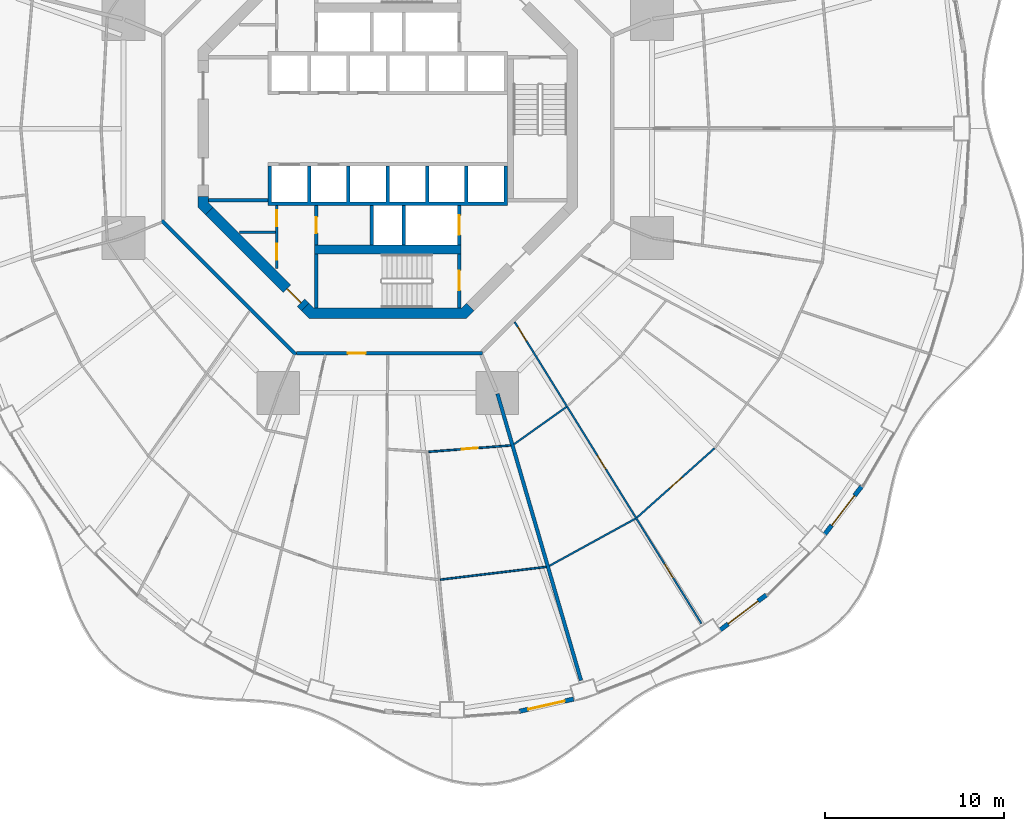
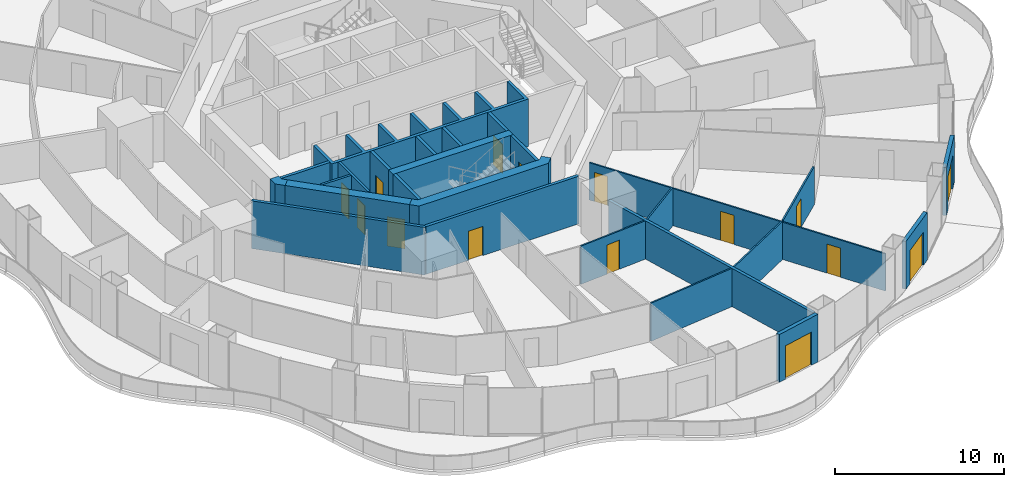
# One storey, part 15 of 22: 26 walls, 15 doors, 15 openings.
"""IFC4 building model written with IfcOpenShell, lengths in metres."""

from ifc_helpers import new_model, si_unit, direction, frame, frame_2d, origin, place, context, subcontext, project, spatial, polyline, rectangle, outline, extrude, material, layer, layer_set, type_object, element, fill, save


model = new_model("IFC4")

# Units and contexts
model_context = context("Model", 3, precision=1e-05, world=origin(), true_north=direction((0.0, 1.0)))
body_context = subcontext(model_context, "Body", "Model", "MODEL_VIEW")
ifc_project = project(units=[si_unit("LENGTHUNIT", "METRE"), si_unit("AREAUNIT", "SQUARE_METRE"), si_unit("VOLUMEUNIT", "CUBIC_METRE"), si_unit("PLANEANGLEUNIT", "RADIAN"), si_unit("MASSUNIT", "GRAM", prefix="KILO")], contexts=[model_context])

# Site, building, storey
site_placement = place(None, origin())
site = spatial("IfcSite", under=ifc_project, at=site_placement, CompositionType="ELEMENT")
building_placement = place(site_placement, origin())
building = spatial("IfcBuilding", under=site, at=building_placement, Name="Nagisa Residences", CompositionType="ELEMENT")
storey_placement = place(building_placement, frame((0.0, 0.0, 41.800048828125)))
storey = spatial("IfcBuildingStorey", under=building, at=storey_placement, Name="L09", CompositionType="ELEMENT", Elevation=41.800048828125)

# Walls
ifc_material_1 = material(Name="Gypsum board on steel studs", Category="steel")
ifc_layer_1 = layer(ifc_material_1, 0.199951171875)
ifc_layer_set_1 = layer_set([ifc_layer_1], Name="Apartment compartment wall EI60 200")
wall_type_1 = type_object("IfcWallType", Name="Apartment compartment wall EI60 200", PredefinedType="PARTITIONING", material=ifc_layer_set_1)
wall_1_placement = place(storey_placement, frame((6.136962890625, -14.830078125, 0.0), z_axis=(0.0, 0.0, 1.0), x_axis=(0.27985745069, -0.960041565399, 0.0)))
element("IfcWall", 1, at=wall_1_placement, inside=storey, type_object=wall_type_1, Name="wall:L09:u05", PredefinedType="PARTITIONING", context=body_context, shape_type="SweptSolid", body=[
    extrude(rectangle(XDim=16.705078125, YDim=0.199951171875, at=frame_2d((8.3525390625, 0.0))), origin(), (0.0, 0.0, 1.0), 2.755859375),
])
ifc_material_2 = material(Name="Gypsum board on steel studs", Category="steel")
ifc_layer_2 = layer(ifc_material_2, 0.199951171875)
ifc_layer_set_2 = layer_set([ifc_layer_2], Name="Apartment entry wall EI60 200")
wall_type_2 = type_object("IfcWallType", Name="Apartment entry wall EI60 200", PredefinedType="PARTITIONING", material=ifc_layer_set_2)
wall_2_placement = place(storey_placement, frame((-12.635498046875, -5.1337890625, 0.0), z_axis=(0.0, 0.0, 1.0), x_axis=(0.707106781187, -0.707106781187, 0.0)))
element("IfcWall", 2, at=wall_2_placement, inside=storey, type_object=wall_type_2, Name="wall:L09:u11", PredefinedType="PARTITIONING", context=body_context, shape_type="SweptSolid", body=[
    extrude(rectangle(XDim=10.609130859375, YDim=0.199951171875, at=frame_2d((5.3046875, 0.0))), origin(), (0.0, 0.0, 1.0), 3.43994140625),
])

# Wall, opening, door
wall_3_placement = place(storey_placement, frame((-5.1044921875, -12.564697265625, 0.0), z_axis=(0.0, 0.0, 1.0), x_axis=(1.0, 0.0, 0.0)))
wall_3 = element("IfcWall", 3, at=wall_3_placement, inside=storey, type_object=wall_type_2, Name="wall:L09:u12", PredefinedType="PARTITIONING", context=body_context, shape_type="SweptSolid", body=[
    extrude(rectangle(XDim=10.408935546875, YDim=0.199951171875, at=frame_2d((5.20458984375, 0.0))), origin(), (0.0, 0.0, 1.0), 3.43994140625),
])
opening_1_placement = place(wall_3_placement, frame((2.86962890625, 0.0, 0.0)))
opening_1 = element("IfcOpeningElement", 4, at=opening_1_placement, cuts=wall_3, Name="Opening L09-U21", PredefinedType="OPENING", context=body_context, shape_type="SweptSolid", body=[
    extrude(rectangle(XDim=1.0, YDim=2.10009765625, at=frame_2d((0.5, 1.050048828125))), frame((0.0, 0.10986328125, 0.0), z_axis=(0.0, -1.0, 0.0), x_axis=(1.0, 0.0, 0.0)), (0.0, 0.0, 1.0), 0.219970703125),
])
ifc_material_3 = material(Name="Timber fire door set", Category="wood")
door_type_1 = type_object("IfcDoorType", Name="Apartment entry door FD30S 1000x2100", OperationType="NOTDEFINED", PredefinedType="DOOR", material=ifc_material_3)
door_1_placement = place(opening_1_placement, frame((1.0, 0.0, 0.0), x_axis=(-1.0, 0.0, 0.0)))
door_1 = element("IfcDoor", 5, at=door_1_placement, inside=storey, type_object=door_type_1, Name="Entry door, Apartment 09B", OperationType="SINGLE_SWING_RIGHT", OverallHeight=2.10009765625, OverallWidth=1.0, PredefinedType="DOOR", context=body_context, shape_type="SweptSolid", body=[
    extrude(rectangle(XDim=1.0, YDim=2.10009765625, at=frame_2d((0.5, 1.050048828125))), frame((0.0, 0.02490234375, 0.0), z_axis=(0.0, -1.0, 0.0), x_axis=(1.0, 0.0, 0.0)), (0.0, 0.0, 1.0), 0.050048828125),
])
fill(opening_1, door_1)

ifc_material_4 = material(Name="Gypsum board on steel studs", Category="steel")
ifc_layer_3 = layer(ifc_material_4, 0.10009765625)
ifc_layer_set_3 = layer_set([ifc_layer_3], Name="Apartment partition 100")
wall_type_3 = type_object("IfcWallType", Name="Apartment partition 100", PredefinedType="PARTITIONING", material=ifc_layer_set_3)
wall_4_placement = place(storey_placement, frame((2.288330078125, -18.078369140625, 0.0), z_axis=(0.0, 0.0, 1.0), x_axis=(0.99701850123, 0.077162868047, 0.0)))
wall_4 = element("IfcWall", 6, at=wall_4_placement, inside=storey, type_object=wall_type_3, Name="wall:L09:u77", PredefinedType="PARTITIONING", context=body_context, shape_type="SweptSolid", body=[
    extrude(rectangle(XDim=4.603515625, YDim=0.10009765625, at=frame_2d((2.3017578125, 0.0))), origin(), (0.0, 0.0, 1.0), 2.755859375),
])
opening_2_placement = place(wall_4_placement, frame((1.851806640625, 0.0, 0.0)))
opening_2 = element("IfcOpeningElement", 7, at=opening_2_placement, cuts=wall_4, Name="Opening L09-U26", PredefinedType="OPENING", context=body_context, shape_type="SweptSolid", body=[
    extrude(rectangle(XDim=0.89990234375, YDim=2.10009765625, at=frame_2d((0.449951171875, 1.050048828125))), frame((0.0, 0.06005859375, 0.0), z_axis=(0.0, -1.0, 0.0), x_axis=(1.0, 0.0, 0.0)), (0.0, 0.0, 1.0), 0.1201171875),
])
ifc_material_5 = material(Name="Timber door set", Category="wood")
door_type_2 = type_object("IfcDoorType", Name="Apartment door 900x2100", OperationType="NOTDEFINED", PredefinedType="DOOR", material=ifc_material_5)
door_2_placement = place(opening_2_placement, frame((0.89990234375, 0.0, 0.0), x_axis=(-1.0, 0.0, 0.0)))
door_2 = element("IfcDoor", 8, at=door_2_placement, inside=storey, type_object=door_type_2, Name="Door to kitchen, Apartment 09B", OperationType="SINGLE_SWING_LEFT", OverallHeight=2.10009765625, OverallWidth=0.89990234375, PredefinedType="DOOR", context=body_context, shape_type="SweptSolid", body=[
    extrude(rectangle(XDim=0.89990234375, YDim=2.10009765625, at=frame_2d((0.449951171875, 1.050048828125))), frame((0.0, 0.02490234375, 0.0), z_axis=(0.0, -1.0, 0.0), x_axis=(1.0, 0.0, 0.0)), (0.0, 0.0, 1.0), 0.050048828125),
])
fill(opening_2, door_2)

# Walls
wall_5_placement = place(storey_placement, frame((2.94091796875, -25.228515625, 0.0), z_axis=(0.0, 0.0, 1.0), x_axis=(0.992834127896, 0.119500604542, 0.0)))
element("IfcWall", 9, at=wall_5_placement, inside=storey, type_object=wall_type_3, Name="wall:L09:u78", PredefinedType="PARTITIONING", context=body_context, shape_type="SweptSolid", body=[
    extrude(rectangle(XDim=5.95947265625, YDim=0.10009765625, at=frame_2d((2.979736328125, 0.0))), origin(), (0.0, 0.0, 1.0), 2.755859375),
])
wall_6_placement = place(storey_placement, frame((7.0595703125, -17.657470703125, 0.0), z_axis=(0.0, 0.0, 1.0), x_axis=(0.81492039338, 0.57957290521, 0.0)))
element("IfcWall", 10, at=wall_6_placement, inside=storey, type_object=wall_type_3, Name="wall:L09:u79", PredefinedType="PARTITIONING", context=body_context, shape_type="SweptSolid", body=[
    extrude(rectangle(XDim=3.594482421875, YDim=0.10009765625, at=frame_2d((1.79736328125, 0.0))), origin(), (0.0, 0.0, 1.0), 2.755859375),
])
wall_7_placement = place(storey_placement, frame((9.044677734375, -24.456298828125, 0.0), z_axis=(0.0, 0.0, 1.0), x_axis=(0.876809987787, 0.480837025734, 0.0)))
element("IfcWall", 11, at=wall_7_placement, inside=storey, type_object=wall_type_3, Name="wall:L09:u80", PredefinedType="PARTITIONING", context=body_context, shape_type="SweptSolid", body=[
    extrude(rectangle(XDim=5.486083984375, YDim=0.10009765625, at=frame_2d((2.7431640625, 0.0))), origin(), (0.0, 0.0, 1.0), 2.755859375),
])

# Wall, openings, doors
wall_8_placement = place(storey_placement, frame((7.09716796875, -10.809814453125, 0.0), z_axis=(0.0, 0.0, 1.0), x_axis=(0.526453266471, -0.850204068576, 0.0)))
wall_8 = element("IfcWall", 12, at=wall_8_placement, inside=storey, type_object=wall_type_3, Name="wall:L09:u81", PredefinedType="PARTITIONING", context=body_context, shape_type="SweptSolid", body=[
    extrude(rectangle(XDim=19.85009765625, YDim=0.10009765625, at=frame_2d((9.925048828125, 0.0))), origin(), (0.0, 0.0, 1.0), 2.68701171875),
])
opening_3_placement = place(wall_8_placement, frame((0.35009765625, 0.0, 0.0)))
opening_3 = element("IfcOpeningElement", 13, at=opening_3_placement, cuts=wall_8, Name="Opening L09-U50", PredefinedType="OPENING", context=body_context, shape_type="SweptSolid", body=[
    extrude(rectangle(XDim=0.89990234375, YDim=2.10009765625, at=frame_2d((0.449951171875, 1.050048828125))), frame((0.0, 0.06005859375, 0.0), z_axis=(0.0, -1.0, 0.0), x_axis=(1.0, 0.0, 0.0)), (0.0, 0.0, 1.0), 0.1201171875),
])
opening_4_placement = place(wall_8_placement, frame((8.794921875, 0.0, 0.0)))
opening_4 = element("IfcOpeningElement", 14, at=opening_4_placement, cuts=wall_8, Name="Opening L09-U51", PredefinedType="OPENING", context=body_context, shape_type="SweptSolid", body=[
    extrude(rectangle(XDim=0.89990234375, YDim=2.10009765625, at=frame_2d((0.449951171875, 1.050048828125))), frame((0.0, 0.06005859375, 0.0), z_axis=(0.0, -1.0, 0.0), x_axis=(1.0, 0.0, 0.0)), (0.0, 0.0, 1.0), 0.1201171875),
])
opening_5_placement = place(wall_8_placement, frame((15.93505859375, 0.0, 0.0)))
opening_5 = element("IfcOpeningElement", 15, at=opening_5_placement, cuts=wall_8, Name="Opening L09-U52", PredefinedType="OPENING", context=body_context, shape_type="SweptSolid", body=[
    extrude(rectangle(XDim=0.89990234375, YDim=2.10009765625, at=frame_2d((0.449951171875, 1.050048828125))), frame((0.0, 0.06005859375, 0.0), z_axis=(0.0, -1.0, 0.0), x_axis=(1.0, 0.0, 0.0)), (0.0, 0.0, 1.0), 0.1201171875),
])
door_3_placement = place(opening_3_placement, frame((0.89990234375, 0.0, 0.0), x_axis=(-1.0, 0.0, 0.0)))
door_3 = element("IfcDoor", 16, at=door_3_placement, inside=storey, type_object=door_type_2, Name="Door to laundry, Apartment 09C", OperationType="SINGLE_SWING_LEFT", OverallHeight=2.10009765625, OverallWidth=0.89990234375, PredefinedType="DOOR", context=body_context, shape_type="SweptSolid", body=[
    extrude(rectangle(XDim=0.89990234375, YDim=2.10009765625, at=frame_2d((0.449951171875, 1.050048828125))), frame((0.0, 0.02490234375, 0.0), z_axis=(0.0, -1.0, 0.0), x_axis=(1.0, 0.0, 0.0)), (0.0, 0.0, 1.0), 0.050048828125),
])
fill(opening_3, door_3)
door_4_placement = place(opening_4_placement, frame((0.89990234375, 0.0, 0.0), x_axis=(-1.0, 0.0, 0.0)))
door_4 = element("IfcDoor", 17, at=door_4_placement, inside=storey, type_object=door_type_2, Name="Door to kitchen, Apartment 09C", OperationType="SINGLE_SWING_RIGHT", OverallHeight=2.10009765625, OverallWidth=0.89990234375, PredefinedType="DOOR", context=body_context, shape_type="SweptSolid", body=[
    extrude(rectangle(XDim=0.89990234375, YDim=2.10009765625, at=frame_2d((0.449951171875, 1.050048828125))), frame((0.0, 0.02490234375, 0.0), z_axis=(0.0, -1.0, 0.0), x_axis=(1.0, 0.0, 0.0)), (0.0, 0.0, 1.0), 0.050048828125),
])
fill(opening_4, door_4)
door_5_placement = place(opening_5_placement, frame((0.89990234375, 0.0, 0.0), x_axis=(-1.0, 0.0, 0.0)))
door_5 = element("IfcDoor", 18, at=door_5_placement, inside=storey, type_object=door_type_2, Name="Door to master bedroom, Apartment 09C", OperationType="SINGLE_SWING_LEFT", OverallHeight=2.10009765625, OverallWidth=0.89990234375, PredefinedType="DOOR", context=body_context, shape_type="SweptSolid", body=[
    extrude(rectangle(XDim=0.89990234375, YDim=2.10009765625, at=frame_2d((0.449951171875, 1.050048828125))), frame((0.0, 0.02490234375, 0.0), z_axis=(0.0, -1.0, 0.0), x_axis=(1.0, 0.0, 0.0)), (0.0, 0.0, 1.0), 0.050048828125),
])
fill(opening_5, door_5)

# Wall, opening, door
wall_9_placement = place(storey_placement, frame((13.936279296875, -21.760986328125, 0.0), z_axis=(0.0, 0.0, 1.0), x_axis=(0.745806142791, 0.666163041136, 0.0)))
wall_9 = element("IfcWall", 19, at=wall_9_placement, inside=storey, type_object=wall_type_3, Name="wall:L09:u83", PredefinedType="PARTITIONING", context=body_context, shape_type="SweptSolid", body=[
    extrude(rectangle(XDim=5.83056640625, YDim=0.10009765625, at=frame_2d((2.915283203125, 0.0))), origin(), (0.0, 0.0, 1.0), 2.755859375),
])
opening_6_placement = place(wall_9_placement, frame((2.46533203125, 0.0, 0.0)))
opening_6 = element("IfcOpeningElement", 20, at=opening_6_placement, cuts=wall_9, Name="Opening L09-U46", PredefinedType="OPENING", context=body_context, shape_type="SweptSolid", body=[
    extrude(rectangle(XDim=0.89990234375, YDim=2.10009765625, at=frame_2d((0.449951171875, 1.050048828125))), frame((0.0, 0.06005859375, 0.0), z_axis=(0.0, -1.0, 0.0), x_axis=(1.0, 0.0, 0.0)), (0.0, 0.0, 1.0), 0.1201171875),
])
door_6_placement = place(opening_6_placement, frame((0.89990234375, 0.0, 0.0), x_axis=(-1.0, 0.0, 0.0)))
door_6 = element("IfcDoor", 21, at=door_6_placement, inside=storey, type_object=door_type_2, Name="Door to living room, Apartment 09C", OperationType="SINGLE_SWING_LEFT", OverallHeight=2.10009765625, OverallWidth=0.89990234375, PredefinedType="DOOR", context=body_context, shape_type="SweptSolid", body=[
    extrude(rectangle(XDim=0.89990234375, YDim=2.10009765625, at=frame_2d((0.449951171875, 1.050048828125))), frame((0.0, 0.02490234375, 0.0), z_axis=(0.0, -1.0, 0.0), x_axis=(1.0, 0.0, 0.0)), (0.0, 0.0, 1.0), 0.050048828125),
])
fill(opening_6, door_6)

ifc_material_6 = material(Name="Precast concrete C40/50", Category="concrete")
ifc_layer_4 = layer(ifc_material_6, 0.25)
ifc_layer_set_4 = layer_set([ifc_layer_4], Name="BALCONY DOOR WALL 250")
wall_type_4 = type_object("IfcWallType", Name="BALCONY DOOR WALL 250", PredefinedType="SOLIDWALL", material=ifc_layer_set_4)
wall_10_placement = place(storey_placement, frame((10.3955078125, -31.908203125, 0.0), z_axis=(0.0, 0.0, 1.0), x_axis=(-0.97533495413, -0.220729987208, 0.0)))
wall_10 = element("IfcWall", 22, at=wall_10_placement, inside=storey, type_object=wall_type_4, Name="wall:L09:bay37", PredefinedType="SOLIDWALL", context=body_context, shape_type="SweptSolid", body=[
    extrude(rectangle(XDim=3.11474609375, YDim=0.25, at=frame_2d((1.557373046875, 0.0))), origin(), (0.0, 0.0, 1.0), 3.43994140625),
])
opening_7_placement = place(wall_10_placement, frame((0.50732421875, 0.0, 0.0)))
opening_7 = element("IfcOpeningElement", 23, at=opening_7_placement, cuts=wall_10, Name="Opening BD-L09-13", PredefinedType="OPENING", context=body_context, shape_type="SweptSolid", body=[
    extrude(rectangle(XDim=2.10009765625, YDim=2.39990234375, at=frame_2d((1.050048828125, 1.199951171875))), frame((0.0, 0.135009765625, 0.0), z_axis=(0.0, -1.0, 0.0), x_axis=(1.0, 0.0, 0.0)), (0.0, 0.0, 1.0), 0.27001953125),
])
ifc_material_7 = material(Name="Aluminium and clear glass", Category="aluminium")
door_type_3 = type_object("IfcDoorType", Name="BALCONY SLIDING DOOR 2100x2400", OperationType="SLIDING_TO_LEFT", PredefinedType="DOOR", material=ifc_material_7)
door_7_placement = place(opening_7_placement, origin())
door_7 = element("IfcDoor", 24, at=door_7_placement, inside=storey, type_object=door_type_3, Name="door:L09:bay37", OperationType="SLIDING_TO_LEFT", OverallHeight=2.39990234375, OverallWidth=2.10009765625, PredefinedType="DOOR", context=body_context, shape_type="SweptSolid", body=[
    extrude(rectangle(XDim=2.10009765625, YDim=2.39990234375, at=frame_2d((1.050048828125, 1.199951171875))), frame((0.0, 0.02490234375, 0.0), z_axis=(0.0, -1.0, 0.0), x_axis=(1.0, 0.0, 0.0)), (0.0, 0.0, 1.0), 0.050048828125),
])
fill(opening_7, door_7)

wall_11_placement = place(storey_placement, frame((21.178466796875, -26.0810546875, 0.0), z_axis=(0.0, 0.0, 1.0), x_axis=(-0.796022293214, -0.605267303517, 0.0)))
wall_11 = element("IfcWall", 25, at=wall_11_placement, inside=storey, type_object=wall_type_4, Name="wall:L09:bay40", PredefinedType="SOLIDWALL", context=body_context, shape_type="SweptSolid", body=[
    extrude(rectangle(XDim=3.262451171875, YDim=0.25, at=frame_2d((1.63134765625, 0.0))), origin(), (0.0, 0.0, 1.0), 3.43994140625),
])
opening_8_placement = place(wall_11_placement, frame((0.5810546875, 0.0, 0.0)))
opening_8 = element("IfcOpeningElement", 26, at=opening_8_placement, cuts=wall_11, Name="Opening BD-L09-14", PredefinedType="OPENING", context=body_context, shape_type="SweptSolid", body=[
    extrude(rectangle(XDim=2.10009765625, YDim=2.39990234375, at=frame_2d((1.050048828125, 1.199951171875))), frame((0.0, 0.135009765625, 0.0), z_axis=(0.0, -1.0, 0.0), x_axis=(1.0, 0.0, 0.0)), (0.0, 0.0, 1.0), 0.27001953125),
])
door_8_placement = place(opening_8_placement, origin())
door_8 = element("IfcDoor", 27, at=door_8_placement, inside=storey, type_object=door_type_3, Name="door:L09:bay40", OperationType="SLIDING_TO_LEFT", OverallHeight=2.39990234375, OverallWidth=2.10009765625, PredefinedType="DOOR", context=body_context, shape_type="SweptSolid", body=[
    extrude(rectangle(XDim=2.10009765625, YDim=2.39990234375, at=frame_2d((1.050048828125, 1.199951171875))), frame((0.0, 0.02490234375, 0.0), z_axis=(0.0, -1.0, 0.0), x_axis=(1.0, 0.0, 0.0)), (0.0, 0.0, 1.0), 0.050048828125),
])
fill(opening_8, door_8)

wall_12_placement = place(storey_placement, frame((26.50830078125, -20.012939453125, 0.0), z_axis=(0.0, 0.0, 1.0), x_axis=(-0.610457147657, -0.792049285635, 0.0)))
wall_12 = element("IfcWall", 28, at=wall_12_placement, inside=storey, type_object=wall_type_4, Name="wall:L09:bay42", PredefinedType="SOLIDWALL", context=body_context, shape_type="SweptSolid", body=[
    extrude(rectangle(XDim=3.3974609375, YDim=0.25, at=frame_2d((1.69873046875, 0.0))), origin(), (0.0, 0.0, 1.0), 3.43994140625),
])
opening_9_placement = place(wall_12_placement, frame((0.648681640625, 0.0, 0.0)))
opening_9 = element("IfcOpeningElement", 29, at=opening_9_placement, cuts=wall_12, Name="Opening BD-L09-15", PredefinedType="OPENING", context=body_context, shape_type="SweptSolid", body=[
    extrude(rectangle(XDim=2.10009765625, YDim=2.39990234375, at=frame_2d((1.050048828125, 1.199951171875))), frame((0.0, 0.135009765625, 0.0), z_axis=(0.0, -1.0, 0.0), x_axis=(1.0, 0.0, 0.0)), (0.0, 0.0, 1.0), 0.27001953125),
])
door_9_placement = place(opening_9_placement, origin())
door_9 = element("IfcDoor", 30, at=door_9_placement, inside=storey, type_object=door_type_3, Name="door:L09:bay42", OperationType="SLIDING_TO_LEFT", OverallHeight=2.39990234375, OverallWidth=2.10009765625, PredefinedType="DOOR", context=body_context, shape_type="SweptSolid", body=[
    extrude(rectangle(XDim=2.10009765625, YDim=2.39990234375, at=frame_2d((1.050048828125, 1.199951171875))), frame((0.0, 0.02490234375, 0.0), z_axis=(0.0, -1.0, 0.0), x_axis=(1.0, 0.0, 0.0)), (0.0, 0.0, 1.0), 0.050048828125),
])
fill(opening_9, door_9)

# Wall, openings, doors
ifc_material_8 = material(Name="Gypsum board on steel studs", Category="steel")
ifc_layer_5 = layer(ifc_material_8, 0.14990234375)
ifc_layer_set_5 = layer_set([ifc_layer_5], Name="Core partition 150")
wall_type_5 = type_object("IfcWallType", Name="Core partition 150", PredefinedType="PARTITIONING", material=ifc_layer_set_5)
wall_13_placement = place(storey_placement, frame((-6.199951171875, -7.826904296875, 0.0), z_axis=(0.0, 0.0, 1.0), x_axis=(0.0, 1.0, 0.0)))
wall_13 = element("IfcWall", 31, at=wall_13_placement, inside=storey, type_object=wall_type_5, Name="wall:L09:SWp", PredefinedType="PARTITIONING", context=body_context, shape_type="SweptSolid", body=[
    extrude(rectangle(XDim=3.52685546875, YDim=0.14990234375, at=frame_2d((1.763427734375, 0.0))), origin(), (0.0, 0.0, 1.0), 3.43994140625),
])
opening_10_placement = place(wall_13_placement, frame((2.364501953125, 0.0, 0.0)))
opening_10 = element("IfcOpeningElement", 32, at=opening_10_placement, cuts=wall_13, Name="Opening L09-C14", PredefinedType="OPENING", context=body_context, shape_type="SweptSolid", body=[
    extrude(rectangle(XDim=0.89990234375, YDim=2.10009765625, at=frame_2d((0.449951171875, 1.050048828125))), frame((0.0, 0.0849609375, 0.0), z_axis=(0.0, -1.0, 0.0), x_axis=(1.0, 0.0, 0.0)), (0.0, 0.0, 1.0), 0.169921875),
])
opening_11_placement = place(wall_13_placement, frame((0.488525390625, 0.0, 0.0)))
opening_11 = element("IfcOpeningElement", 33, at=opening_11_placement, cuts=wall_13, Name="Opening L09-C15", PredefinedType="OPENING", context=body_context, shape_type="SweptSolid", body=[
    extrude(rectangle(XDim=0.89990234375, YDim=2.10009765625, at=frame_2d((0.449951171875, 1.050048828125))), frame((0.0, 0.0849609375, 0.0), z_axis=(0.0, -1.0, 0.0), x_axis=(1.0, 0.0, 0.0)), (0.0, 0.0, 1.0), 0.169921875),
])
ifc_material_9 = material(Name="Steel fire door", Category="steel")
door_type_4 = type_object("IfcDoorType", Name="Fire door EI30 900x2100 single swing", OperationType="NOTDEFINED", PredefinedType="DOOR", material=ifc_material_9)
door_10_placement = place(opening_10_placement, origin())
door_10 = element("IfcDoor", 34, at=door_10_placement, inside=storey, type_object=door_type_4, Name="Valet store door L09", OperationType="SINGLE_SWING_RIGHT", OverallHeight=2.10009765625, OverallWidth=0.89990234375, PredefinedType="DOOR", context=body_context, shape_type="SweptSolid", body=[
    extrude(rectangle(XDim=0.89990234375, YDim=2.10009765625, at=frame_2d((0.449951171875, 1.050048828125))), frame((0.0, 0.02490234375, 0.0), z_axis=(0.0, -1.0, 0.0), x_axis=(1.0, 0.0, 0.0)), (0.0, 0.0, 1.0), 0.050048828125),
])
fill(opening_10, door_10)
door_11_placement = place(opening_11_placement, origin())
door_11 = element("IfcDoor", 35, at=door_11_placement, inside=storey, type_object=door_type_4, Name="Staff WC door L09", OperationType="SINGLE_SWING_RIGHT", OverallHeight=2.10009765625, OverallWidth=0.89990234375, PredefinedType="DOOR", context=body_context, shape_type="SweptSolid", body=[
    extrude(rectangle(XDim=0.89990234375, YDim=2.10009765625, at=frame_2d((0.449951171875, 1.050048828125))), frame((0.0, 0.02490234375, 0.0), z_axis=(0.0, -1.0, 0.0), x_axis=(1.0, 0.0, 0.0)), (0.0, 0.0, 1.0), 0.050048828125),
])
fill(opening_11, door_11)

# Walls
wall_14_placement = place(storey_placement, frame((-8.301025390625, -5.800048828125, 0.0), z_axis=(0.0, 0.0, 1.0), x_axis=(1.0, 0.0, 0.0)))
element("IfcWall", 36, at=wall_14_placement, inside=storey, type_object=wall_type_5, Name="wall:L09:SWq", PredefinedType="PARTITIONING", context=body_context, shape_type="SweptSolid", body=[
    extrude(rectangle(XDim=2.026123046875, YDim=0.14990234375, at=frame_2d((1.01318359375, 0.0))), origin(), (0.0, 0.0, 1.0), 3.43994140625),
])
ifc_material_10 = material(Name="Gypsum board on steel studs", Category="steel")
ifc_layer_6 = layer(ifc_material_10, 0.199951171875)
ifc_layer_set_6 = layer_set([ifc_layer_6], Name="Core partition 200")
wall_type_6 = type_object("IfcWallType", Name="Core partition 200", PredefinedType="PARTITIONING", material=ifc_layer_set_6)
wall_15_placement = place(storey_placement, frame((-10.024658203125, -4.0, 0.0), z_axis=(0.0, 0.0, 1.0), x_axis=(1.0, 0.0, 0.0)))
element("IfcWall", 37, at=wall_15_placement, inside=storey, type_object=wall_type_6, Name="wall:L09:PSW", PredefinedType="PARTITIONING", context=body_context, shape_type="SweptSolid", body=[
    extrude(rectangle(XDim=3.32470703125, YDim=0.199951171875, at=frame_2d((1.662353515625, 0.0))), origin(), (0.0, 0.0, 1.0), 3.43994140625),
])

# Wall, opening, door
ifc_material_11 = material(Name="Concrete C60", Category="concrete")
ifc_layer_7 = layer(ifc_material_11, 0.60009765625)
ifc_layer_set_7 = layer_set([ifc_layer_7], Name="Core shear wall 600")
wall_type_7 = type_object("IfcWallType", Name="Core shear wall 600", PredefinedType="SHEAR", material=ifc_layer_set_7)
wall_16_placement = place(storey_placement, frame((-9.98828125, -4.613037109375, 0.0), z_axis=(0.0, 0.0, 1.0), x_axis=(0.707106781187, -0.707106781187, 0.0)))
wall_16 = element("IfcWall", 38, at=wall_16_placement, inside=storey, type_object=wall_type_7, Name="wall:L09:core:flat5", PredefinedType="SHEAR", context=body_context, shape_type="SweptSolid", body=[
    extrude(rectangle(XDim=7.601806640625, YDim=0.60009765625, at=frame_2d((3.80078125, 0.0))), origin(), (0.0, 0.0, 1.0), 3.43994140625),
])
opening_12_placement = place(wall_16_placement, frame((6.15087890625, 0.0, 0.0)))
opening_12 = element("IfcOpeningElement", 39, at=opening_12_placement, cuts=wall_16, Name="Opening L09-C22", PredefinedType="OPENING", context=body_context, shape_type="SweptSolid", body=[
    extrude(rectangle(XDim=1.10009765625, YDim=2.10009765625, at=frame_2d((0.550048828125, 1.050048828125))), frame((0.0, 0.31005859375, 0.0), z_axis=(0.0, -1.0, 0.0), x_axis=(1.0, 0.0, 0.0)), (0.0, 0.0, 1.0), 0.6201171875),
])
ifc_material_12 = material(Name="Steel fire door", Category="steel")
door_type_5 = type_object("IfcDoorType", Name="Fire door EI60 1100x2100 single swing", OperationType="NOTDEFINED", PredefinedType="DOOR", material=ifc_material_12)
door_12_placement = place(opening_12_placement, origin())
door_12 = element("IfcDoor", 40, at=door_12_placement, inside=storey, type_object=door_type_5, Name="Housekeeping lobby door L09", OperationType="SINGLE_SWING_RIGHT", OverallHeight=2.10009765625, OverallWidth=1.10009765625, PredefinedType="DOOR", context=body_context, shape_type="SweptSolid", body=[
    extrude(rectangle(XDim=1.10009765625, YDim=2.10009765625, at=frame_2d((0.550048828125, 1.050048828125))), frame((0.0, 0.02490234375, 0.0), z_axis=(0.0, -1.0, 0.0), x_axis=(1.0, 0.0, 0.0)), (0.0, 0.0, 1.0), 0.050048828125),
])
fill(opening_12, door_12)

# Walls
wall_17_placement = place(storey_placement, origin())
element("IfcWall", 41, at=wall_17_placement, inside=storey, type_object=wall_type_7, Name="wall:L09:core:pier4", PredefinedType="SHEAR", context=body_context, shape_type="SweptSolid", body=[
    extrude(outline(polyline([(-10.62451171875, -3.80078125), (-10.024658203125, -3.80078125), (-10.024658203125, -4.15234375), (-9.776123046875, -4.40087890625), (-10.200439453125, -4.8251953125), (-10.62451171875, -4.40087890625), (-10.62451171875, -3.80078125)])), origin(), (0.0, 0.0, 1.0), 3.43994140625),
])
wall_18_placement = place(storey_placement, origin())
element("IfcWall", 42, at=wall_18_placement, inside=storey, type_object=wall_type_7, Name="wall:L09:core:flat6", PredefinedType="SHEAR", context=body_context, shape_type="SweptSolid", body=[
    extrude(outline(polyline([(-4.15234375, -10.024658203125), (4.15234375, -10.024658203125), (4.40087890625, -9.776123046875), (4.8251953125, -10.200439453125), (4.40087890625, -10.62451171875), (-4.40087890625, -10.62451171875), (-4.8251953125, -10.200439453125), (-4.40087890625, -9.776123046875), (-4.15234375, -10.024658203125)])), origin(), (0.0, 0.0, 1.0), 3.43994140625),
])

# Wall, opening, door
ifc_material_13 = material(Name="Concrete C60", Category="concrete")
ifc_layer_8 = layer(ifc_material_13, 0.199951171875)
ifc_layer_set_8 = layer_set([ifc_layer_8], Name="Lift shaft wall 200")
wall_type_8 = type_object("IfcWallType", Name="Lift shaft wall 200", PredefinedType="SOLIDWALL", material=ifc_layer_set_8)
wall_19_placement = place(storey_placement, frame((4.0, -6.5, 0.0), z_axis=(0.0, 0.0, 1.0), x_axis=(0.0, 1.0, 0.0)))
wall_19 = element("IfcWall", 43, at=wall_19_placement, inside=storey, type_object=wall_type_8, Name="wall:L09:Sb3", PredefinedType="SOLIDWALL", context=body_context, shape_type="SweptSolid", body=[
    extrude(rectangle(XDim=2.199951171875, YDim=0.199951171875, at=frame_2d((1.10009765625, 0.0))), origin(), (0.0, 0.0, 1.0), 3.43994140625),
])
opening_13_placement = place(wall_19_placement, frame((0.550048828125, 0.0, 0.0)))
opening_13 = element("IfcOpeningElement", 44, at=opening_13_placement, cuts=wall_19, Name="Opening L09-C07", PredefinedType="OPENING", context=body_context, shape_type="SweptSolid", body=[
    extrude(rectangle(XDim=1.10009765625, YDim=2.10009765625, at=frame_2d((0.550048828125, 1.050048828125))), frame((0.0, 0.10986328125, 0.0), z_axis=(0.0, -1.0, 0.0), x_axis=(1.0, 0.0, 0.0)), (0.0, 0.0, 1.0), 0.219970703125),
])
ifc_material_14 = material(Name="Stainless steel", Category="steel")
door_type_6 = type_object("IfcDoorType", Name="Lift landing door 1100x2100", OperationType="DOUBLE_DOOR_SLIDING", PredefinedType="DOOR", material=ifc_material_14)
door_13_placement = place(opening_13_placement, origin())
door_13 = element("IfcDoor", 45, at=door_13_placement, inside=storey, type_object=door_type_6, Name="Landing door FL2 L09", OperationType="DOUBLE_DOOR_SLIDING", OverallHeight=2.10009765625, OverallWidth=1.10009765625, PredefinedType="DOOR", context=body_context, shape_type="SweptSolid", body=[
    extrude(rectangle(XDim=1.10009765625, YDim=2.10009765625, at=frame_2d((0.550048828125, 1.050048828125))), frame((0.0, 0.02490234375, 0.0), z_axis=(0.0, -1.0, 0.0), x_axis=(1.0, 0.0, 0.0)), (0.0, 0.0, 1.0), 0.050048828125),
])
fill(opening_13, door_13)

wall_20_placement = place(storey_placement, frame((-4.0, -6.5, 0.0), z_axis=(0.0, 0.0, 1.0), x_axis=(0.0, 1.0, 0.0)))
wall_20 = element("IfcWall", 46, at=wall_20_placement, inside=storey, type_object=wall_type_8, Name="wall:L09:Sb4", PredefinedType="SOLIDWALL", context=body_context, shape_type="SweptSolid", body=[
    extrude(rectangle(XDim=2.199951171875, YDim=0.199951171875, at=frame_2d((1.10009765625, 0.0))), origin(), (0.0, 0.0, 1.0), 3.43994140625),
])
opening_14_placement = place(wall_20_placement, frame((0.64990234375, 0.0, 0.0)))
opening_14 = element("IfcOpeningElement", 47, at=opening_14_placement, cuts=wall_20, Name="Opening L09-C16", PredefinedType="OPENING", context=body_context, shape_type="SweptSolid", body=[
    extrude(rectangle(XDim=0.89990234375, YDim=2.10009765625, at=frame_2d((0.449951171875, 1.050048828125))), frame((0.0, 0.10986328125, 0.0), z_axis=(0.0, -1.0, 0.0), x_axis=(1.0, 0.0, 0.0)), (0.0, 0.0, 1.0), 0.219970703125),
])
door_14_placement = place(opening_14_placement, frame((0.89990234375, 0.0, 0.0), x_axis=(-1.0, 0.0, 0.0)))
door_14 = element("IfcDoor", 48, at=door_14_placement, inside=storey, type_object=door_type_4, Name="Refuse room door L09", OperationType="SINGLE_SWING_RIGHT", OverallHeight=2.10009765625, OverallWidth=0.89990234375, PredefinedType="DOOR", context=body_context, shape_type="SweptSolid", body=[
    extrude(rectangle(XDim=0.89990234375, YDim=2.10009765625, at=frame_2d((0.449951171875, 1.050048828125))), frame((0.0, 0.02490234375, 0.0), z_axis=(0.0, -1.0, 0.0), x_axis=(1.0, 0.0, 0.0)), (0.0, 0.0, 1.0), 0.050048828125),
])
fill(opening_14, door_14)

# Walls
for number, where, z_axis, x_axis, name in (
    (49, (-0.89990234375, -6.5, 0.0), (0.0, 0.0, 1.0), (0.0, 1.0, 0.0), "wall:L09:Sb1"),
    (50, (0.89990234375, -6.5, 0.0), (0.0, 0.0, 1.0), (0.0, 1.0, 0.0), "wall:L09:Sb2"),
):
    element("IfcWall", number, at=place(storey_placement, frame(where, z_axis=z_axis, x_axis=x_axis)), inside=storey, type_object=wall_type_8, Name=name, PredefinedType="SOLIDWALL", context=body_context, shape_type="SweptSolid", body=[
        extrude(rectangle(XDim=2.199951171875, YDim=0.199951171875, at=frame_2d((1.10009765625, 0.0))), origin(), (0.0, 0.0, 1.0), 3.43994140625),
    ])
wall_21_placement = place(storey_placement, origin())
element("IfcWall", 51, at=wall_21_placement, inside=storey, type_object=wall_type_8, Name="wall:L09:Sback", PredefinedType="SOLIDWALL", context=body_context, shape_type="SweptSolid", body=[
    extrude(outline(polyline([(-6.699951171875, -2.10009765625), (-6.5, -2.10009765625), (-6.5, -4.10009765625), (-4.5, -4.10009765625), (-4.5, -2.10009765625), (-4.300048828125, -2.10009765625), (-4.300048828125, -4.10009765625), (-2.300048828125, -4.10009765625), (-2.300048828125, -2.10009765625), (-2.10009765625, -2.10009765625), (-2.10009765625, -4.10009765625), (-0.10009765625, -4.10009765625), (-0.10009765625, -2.10009765625), (0.10009765625, -2.10009765625), (0.10009765625, -4.10009765625), (2.10009765625, -4.10009765625), (2.10009765625, -2.10009765625), (2.300048828125, -2.10009765625), (2.300048828125, -4.10009765625), (4.300048828125, -4.10009765625), (4.300048828125, -2.10009765625), (4.5, -2.10009765625), (4.5, -4.10009765625), (6.5, -4.10009765625), (6.5, -2.10009765625), (6.699951171875, -2.10009765625), (6.699951171875, -4.300048828125), (-6.699951171875, -4.300048828125), (-6.699951171875, -2.10009765625)])), origin(), (0.0, 0.0, 1.0), 3.43994140625),
])

# Wall, opening, door
ifc_material_15 = material(Name="Concrete C60", Category="concrete")
ifc_layer_9 = layer(ifc_material_15, 0.199951171875)
ifc_layer_set_9 = layer_set([ifc_layer_9], Name="Stair enclosure wall 200")
wall_type_9 = type_object("IfcWallType", Name="Stair enclosure wall 200", PredefinedType="SOLIDWALL", material=ifc_layer_set_9)
wall_22_placement = place(storey_placement, frame((4.0, -10.024658203125, 0.0), z_axis=(0.0, 0.0, 1.0), x_axis=(0.0, 1.0, 0.0)))
wall_22 = element("IfcWall", 52, at=wall_22_placement, inside=storey, type_object=wall_type_9, Name="wall:L09:SS_e", PredefinedType="SOLIDWALL", context=body_context, shape_type="SweptSolid", body=[
    extrude(rectangle(XDim=3.0, YDim=0.199951171875, at=frame_2d((1.5, 0.0))), origin(), (0.0, 0.0, 1.0), 3.43994140625),
])
opening_15_placement = place(wall_22_placement, frame((0.974609375, 0.0, 0.0)))
opening_15 = element("IfcOpeningElement", 53, at=opening_15_placement, cuts=wall_22, Name="Opening L09-C11", PredefinedType="OPENING", context=body_context, shape_type="SweptSolid", body=[
    extrude(rectangle(XDim=1.10009765625, YDim=2.10009765625, at=frame_2d((0.550048828125, 1.050048828125))), frame((0.0, 0.10986328125, 0.0), z_axis=(0.0, -1.0, 0.0), x_axis=(1.0, 0.0, 0.0)), (0.0, 0.0, 1.0), 0.219970703125),
])
ifc_material_16 = material(Name="Steel fire door", Category="steel")
door_type_7 = type_object("IfcDoorType", Name="Fire door EI90 1100x2100 single swing", OperationType="NOTDEFINED", PredefinedType="DOOR", material=ifc_material_16)
door_15_placement = place(opening_15_placement, origin())
door_15 = element("IfcDoor", 54, at=door_15_placement, inside=storey, type_object=door_type_7, Name="Stair door ST-S L09", OperationType="SINGLE_SWING_RIGHT", OverallHeight=2.10009765625, OverallWidth=1.10009765625, PredefinedType="DOOR", context=body_context, shape_type="SweptSolid", body=[
    extrude(rectangle(XDim=1.10009765625, YDim=2.10009765625, at=frame_2d((0.550048828125, 1.050048828125))), frame((0.0, 0.02490234375, 0.0), z_axis=(0.0, -1.0, 0.0), x_axis=(1.0, 0.0, 0.0)), (0.0, 0.0, 1.0), 0.050048828125),
])
fill(opening_15, door_15)

# Walls
wall_23_placement = place(storey_placement, origin())
element("IfcWall", 55, at=wall_23_placement, inside=storey, type_object=wall_type_9, Name="wall:L09:SS_w", PredefinedType="SOLIDWALL", context=body_context, shape_type="SweptSolid", body=[
    extrude(outline(polyline([(-3.89990234375, -10.024658203125), (-4.10009765625, -10.024658203125), (-4.10009765625, -7.024658203125), (-3.89990234375, -7.024658203125), (-3.89990234375, -10.024658203125)])), origin(), (0.0, 0.0, 1.0), 3.43994140625),
])
wall_24_placement = place(storey_placement, origin())
element("IfcWall", 56, at=wall_24_placement, inside=storey, type_object=wall_type_9, Name="wall:L09:SS_n", PredefinedType="SOLIDWALL", context=body_context, shape_type="SweptSolid", body=[
    extrude(outline(polyline([(4.10009765625, -7.024658203125), (-4.10009765625, -7.024658203125), (-4.10009765625, -6.5), (4.10009765625, -6.5), (4.10009765625, -7.024658203125)])), origin(), (0.0, 0.0, 1.0), 3.43994140625),
])

save(model, "model.ifc")
